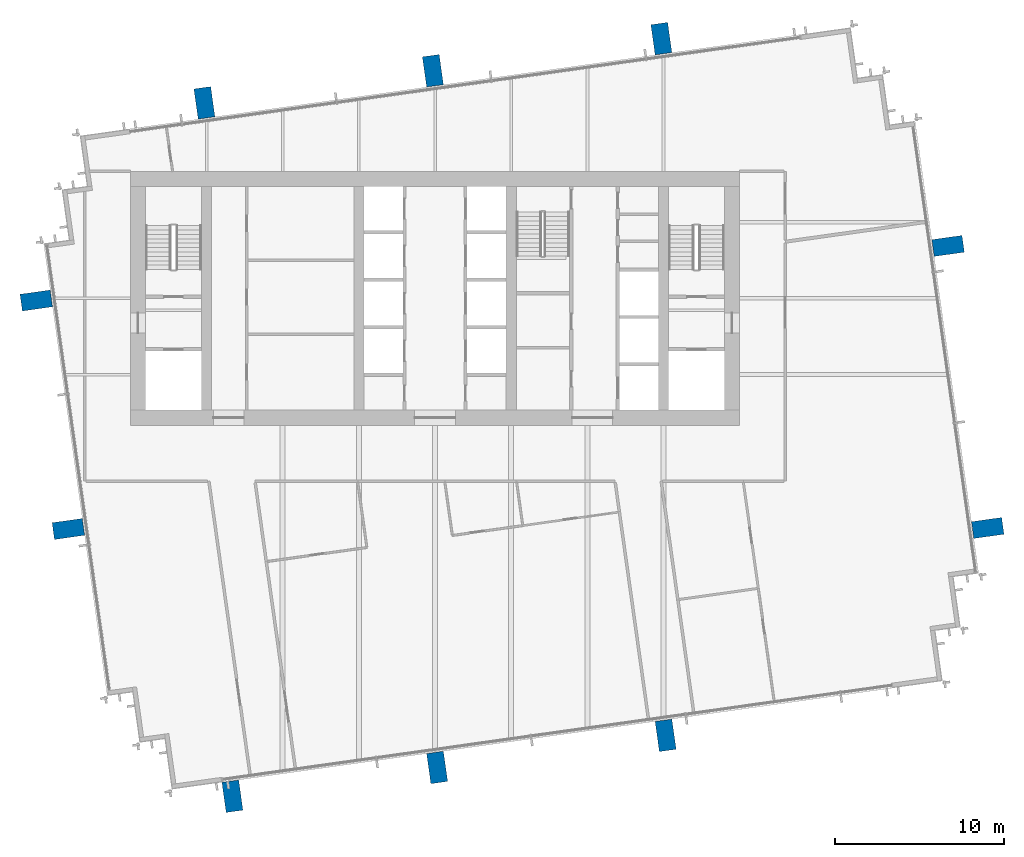
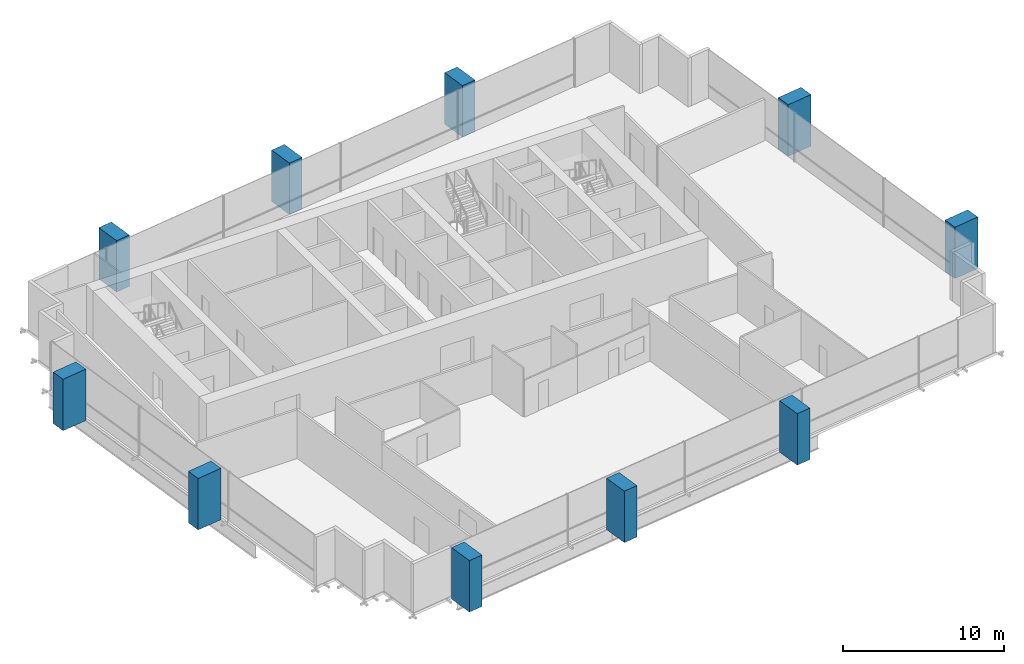
# One storey, part 1 of 13: 10 columns.
"""IFC4 building model written with IfcOpenShell, lengths in metres."""

from ifc_helpers import new_model, si_unit, direction, frame, origin, origin_2d, place, context, subcontext, project, spatial, rectangle, extrude, material, material_profile, profile_set, type_object, element, save


model = new_model("IFC4")

# Units and contexts
model_context = context("Model", 3, precision=1e-05, world=origin(), true_north=direction((0.0, 1.0)))
body_context = subcontext(model_context, "Body", "Model", "MODEL_VIEW")
ifc_project = project(units=[si_unit("LENGTHUNIT", "METRE"), si_unit("AREAUNIT", "SQUARE_METRE"), si_unit("VOLUMEUNIT", "CUBIC_METRE"), si_unit("PLANEANGLEUNIT", "RADIAN"), si_unit("MASSUNIT", "GRAM", prefix="KILO")], contexts=[model_context])

# Site, building, storey
site_placement = place(None, origin())
site = spatial("IfcSite", under=ifc_project, at=site_placement, CompositionType="ELEMENT")
building_placement = place(site_placement, origin())
building = spatial("IfcBuilding", under=site, at=building_placement, Name="Rattan Terrace Tower", CompositionType="ELEMENT")
storey_placement = place(building_placement, frame((0.0, 0.0, 217.39990234375)))
storey = spatial("IfcBuildingStorey", under=building, at=storey_placement, Name="L49", CompositionType="ELEMENT", Elevation=217.39990234375)

# Columns
ifc_material = material(Name="Concrete C40/50", Category="concrete")
ifc_material_profile = material_profile(ifc_material, rectangle(XDim=1.0, YDim=1.800048828125, at=origin_2d()), Name="CFT 1800x1000")
ifc_profile_set = profile_set([ifc_material_profile], Name="Concrete C40/50")
column_type = type_object("IfcColumnType", Name="Frame exoskeleton column CFT 1800x1000", PredefinedType="COLUMN", material=ifc_profile_set)
for number, where, z_axis, x_axis, name in (
    (1, (-11.970947265625, -29.416015625, -0.199951171875), (0.0, 0.0, 1.0), (0.990268068742, 0.13917310096, 0.0), "exo-L49-001"),
    (2, (0.125, -27.716064453125, -0.199951171875), (0.0, 0.0, 1.0), (0.990268068742, 0.13917310096, 0.0), "exo-L49-002"),
    (3, (13.625, -25.818115234375, -0.199951171875), (0.0, 0.0, 1.0), (0.990268068742, 0.13917310096, 0.0), "exo-L49-003"),
    (4, (-21.6630859375, -13.625, -0.199951171875), (0.0, 0.0, 1.0), (-0.139190384377, 0.990265639562, 0.0), "exo-L49-004"),
    (5, (32.657958984375, -13.56494140625, -0.199951171875), (0.0, 0.0, 1.0), (-0.139190384377, 0.990265639562, 0.0), "exo-L49-005"),
    (6, (-23.56103515625, -0.125, -0.199951171875), (0.0, 0.0, 1.0), (-0.139190384377, 0.990265639562, 0.0), "exo-L49-006"),
    (7, (30.31494140625, 3.10009765625, -0.199951171875), (0.0, 0.0, 1.0), (-0.139190384377, 0.990265639562, 0.0), "exo-L49-007"),
    (8, (-13.625, 11.552978515625, -0.199951171875), (0.0, 0.0, 1.0), (0.990268068742, 0.13917310096, 0.0), "exo-L49-008"),
    (9, (-0.125, 13.450927734375, -0.199951171875), (0.0, 0.0, 1.0), (0.990268068742, 0.13917310096, 0.0), "exo-L49-009"),
    (10, (13.375, 15.347900390625, -0.199951171875), (0.0, 0.0, 1.0), (0.990268068742, 0.13917310096, 0.0), "exo-L49-010"),
):
    element("IfcColumn", number, at=place(storey_placement, frame(where, z_axis=z_axis, x_axis=x_axis)), inside=storey, type_object=column_type, Name=name, PredefinedType="COLUMN", context=body_context, shape_type="SweptSolid", body=[
        extrude(rectangle(XDim=1.0, YDim=1.800048828125, at=origin_2d()), origin(), (0.0, 0.0, 1.0), 3.900146484375),
    ])

save(model, "model.ifc")
